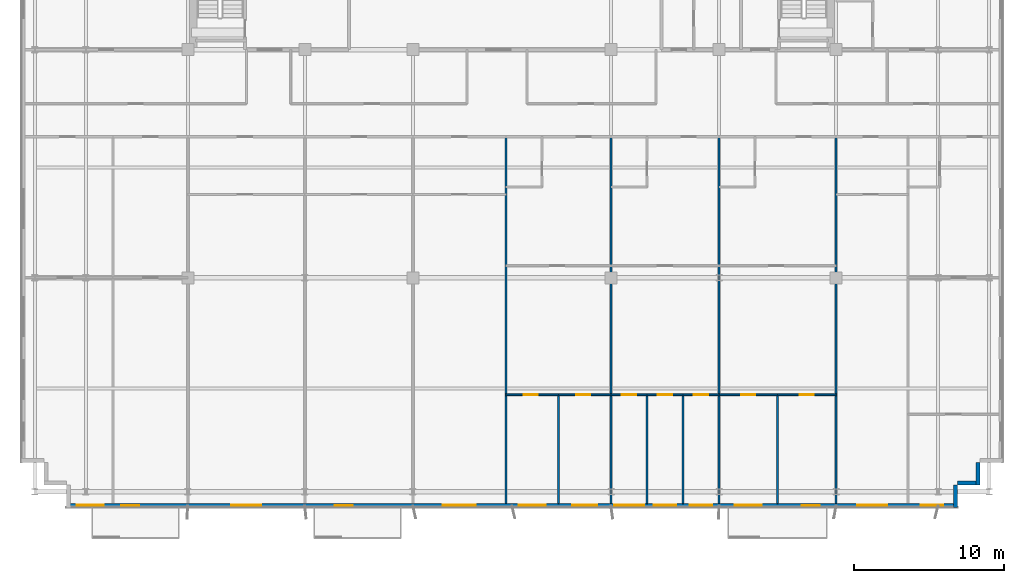
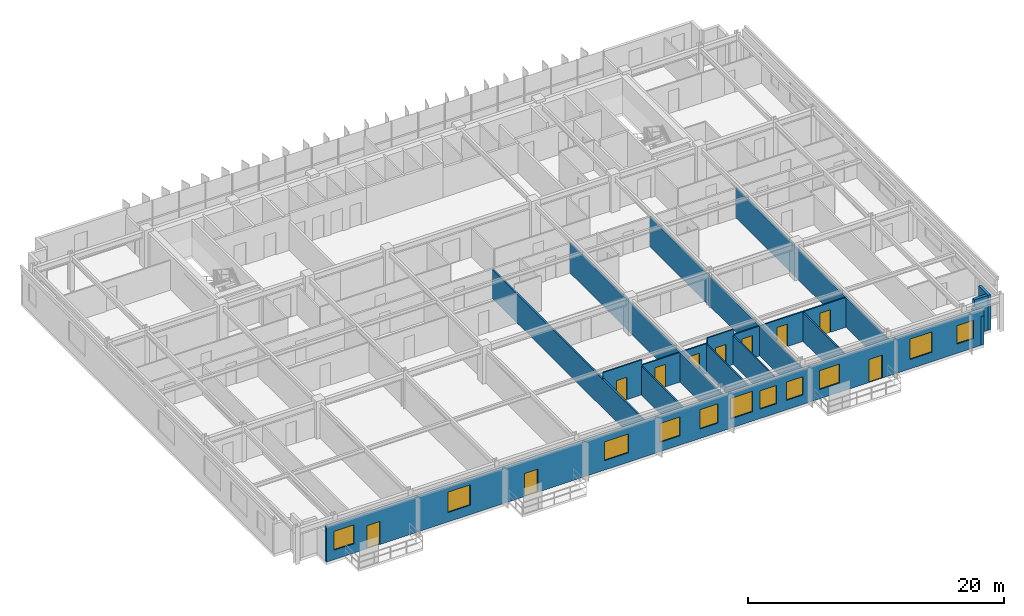
# One storey, part 15 of 22: 19 walls, 11 windows, 10 doors, 21 openings.
"""IFC4 building model written with IfcOpenShell, lengths in metres."""

from ifc_helpers import new_model, si_unit, direction, frame, frame_2d, origin, place, context, subcontext, project, spatial, rectangle, extrude, source, transform, mapped, material, layer, layer_set, type_object, element, fill, save


model = new_model("IFC4")

# Units and contexts
model_context = context("Model", 3, precision=1e-05, world=origin(), true_north=direction((0.0, 1.0)))
body_context = subcontext(model_context, "Body", "Model", "MODEL_VIEW")
ifc_project = project(units=[si_unit("LENGTHUNIT", "METRE"), si_unit("AREAUNIT", "SQUARE_METRE"), si_unit("VOLUMEUNIT", "CUBIC_METRE"), si_unit("PLANEANGLEUNIT", "RADIAN"), si_unit("MASSUNIT", "GRAM", prefix="KILO")], contexts=[model_context])

# Site, building, storey
site_placement = place(None, origin())
site = spatial("IfcSite", under=ifc_project, at=site_placement, CompositionType="ELEMENT")
building_placement = place(site_placement, origin())
building = spatial("IfcBuilding", under=site, at=building_placement, Name="Trelvane Seafront Commons", CompositionType="ELEMENT")
storey_placement = place(building_placement, frame((0.0, 0.0, 88.89990234375)))
storey = spatial("IfcBuildingStorey", under=building, at=storey_placement, Name="L22", CompositionType="ELEMENT", Elevation=88.89990234375)

# Walls
ifc_material_1 = material(Name="Precast concrete C40/50", Category="concrete")
ifc_layer_1 = layer(ifc_material_1, 0.260009765625, Name="ARCH-WALL-EXT260")
ifc_layer_set_1 = layer_set([ifc_layer_1], Name="Precast concrete C40/50")
wall_type_1 = type_object("IfcWallType", Name="ARCH-WALL-EXT260", PredefinedType="SOLIDWALL", material=ifc_layer_set_1)
for number, where, z_axis, x_axis, name in (
    (1, (68.27001953125, 5.89990234375, 0.0), (0.0, 0.0, 1.0), (0.0, -1.0, 0.0), "EW-L22-00407"),
    (2, (68.39990234375, 4.530029296875, 0.0), (0.0, 0.0, 1.0), (-1.0, 0.0, 0.0), "EW-L22-00408"),
):
    element("IfcWall", number, at=place(storey_placement, frame(where, z_axis=z_axis, x_axis=x_axis)), inside=storey, type_object=wall_type_1, Name=name, PredefinedType="SOLIDWALL", context=body_context, shape_type="SweptSolid", body=[
        extrude(rectangle(XDim=1.5, YDim=0.260009765625, at=frame_2d((0.75, 0.0))), origin(), (0.0, 0.0, 1.0), 3.340087890625),
    ])
wall_1_placement = place(storey_placement, frame((66.77001953125, 4.39990234375, 0.0), z_axis=(0.0, 0.0, 1.0), x_axis=(0.0, -1.0, 0.0)))
element("IfcWall", 3, at=wall_1_placement, inside=storey, type_object=wall_type_1, Name="EW-L22-00409", PredefinedType="SOLIDWALL", context=body_context, shape_type="SweptSolid", body=[
    extrude(rectangle(XDim=1.5, YDim=0.260009765625, at=frame_2d((0.75, 0.0))), origin(), (0.0, 0.0, 1.0), 2.752197265625),
])

# Wall, openings, doors, windows
wall_2_placement = place(storey_placement, frame((66.89990234375, 3.030029296875, 0.0), z_axis=(0.0, 0.0, 1.0), x_axis=(-1.0, 0.0, 0.0)))
wall_2 = element("IfcWall", 4, at=wall_2_placement, inside=storey, type_object=wall_type_1, Name="EW-L22-00410", PredefinedType="SOLIDWALL", context=body_context, shape_type="SweptSolid", body=[
    extrude(rectangle(XDim=59.39990234375, YDim=0.260009765625, at=frame_2d((29.699951171875, 0.0))), origin(), (0.0, 0.0, 1.0), 3.340087890625),
])
opening_1_placement = place(wall_2_placement, frame((0.945068359375, 0.0, 0.89990234375)))
opening_1 = element("IfcOpeningElement", 5, at=opening_1_placement, cuts=wall_2, Name="Opening W03", PredefinedType="OPENING", context=body_context, shape_type="SweptSolid", body=[
    extrude(rectangle(XDim=1.5, YDim=1.75, at=frame_2d((0.75, 0.875))), frame((0.0, 0.139892578125, 0.0), z_axis=(0.0, -1.0, 0.0), x_axis=(1.0, 0.0, 0.0)), (0.0, 0.0, 1.0), 0.280029296875),
])
opening_2_placement = place(wall_2_placement, frame((4.699951171875, 0.0, 0.89990234375)))
opening_2 = element("IfcOpeningElement", 6, at=opening_2_placement, cuts=wall_2, Name="Opening W06", PredefinedType="OPENING", context=body_context, shape_type="SweptSolid", body=[
    extrude(rectangle(XDim=2.0, YDim=1.949951171875, at=frame_2d((1.0, 0.97509765625))), frame((0.0, 0.139892578125, 0.0), z_axis=(0.0, -1.0, 0.0), x_axis=(1.0, 0.0, 0.0)), (0.0, 0.0, 1.0), 0.280029296875),
])
opening_3_placement = place(wall_2_placement, frame((9.179931640625, 0.0, 0.0)))
opening_3 = element("IfcOpeningElement", 7, at=opening_3_placement, cuts=wall_2, Name="Opening BD-L22-52", PredefinedType="OPENING", context=body_context, shape_type="SweptSolid", body=[
    extrude(rectangle(XDim=1.199951171875, YDim=2.199951171875, at=frame_2d((0.60009765625, 1.10009765625))), frame((0.0, 0.139892578125, 0.0), z_axis=(0.0, -1.0, 0.0), x_axis=(1.0, 0.0, 0.0)), (0.0, 0.0, 1.0), 0.280029296875),
])
opening_4_placement = place(wall_2_placement, frame((13.050048828125, 0.0, 0.89990234375)))
opening_4 = element("IfcOpeningElement", 8, at=opening_4_placement, cuts=wall_2, Name="Opening W01", PredefinedType="OPENING", context=body_context, shape_type="SweptSolid", body=[
    extrude(rectangle(XDim=1.800048828125, YDim=1.800048828125, at=frame_2d((0.89990234375, 0.89990234375))), frame((0.0, 0.139892578125, 0.0), z_axis=(0.0, -1.0, 0.0), x_axis=(1.0, 0.0, 0.0)), (0.0, 0.0, 1.0), 0.280029296875),
])
opening_5_placement = place(wall_2_placement, frame((16.35009765625, 0.0, 0.89990234375)))
opening_5 = element("IfcOpeningElement", 9, at=opening_5_placement, cuts=wall_2, Name="Opening W03", PredefinedType="OPENING", context=body_context, shape_type="SweptSolid", body=[
    extrude(rectangle(XDim=1.5, YDim=1.75, at=frame_2d((0.75, 0.875))), frame((0.0, 0.139892578125, 0.0), z_axis=(0.0, -1.0, 0.0), x_axis=(1.0, 0.0, 0.0)), (0.0, 0.0, 1.0), 0.280029296875),
])
opening_6_placement = place(wall_2_placement, frame((18.75, 0.0, 0.89990234375)))
opening_6 = element("IfcOpeningElement", 10, at=opening_6_placement, cuts=wall_2, Name="Opening W03", PredefinedType="OPENING", context=body_context, shape_type="SweptSolid", body=[
    extrude(rectangle(XDim=1.5, YDim=1.75, at=frame_2d((0.75, 0.875))), frame((0.0, 0.139892578125, 0.0), z_axis=(0.0, -1.0, 0.0), x_axis=(1.0, 0.0, 0.0)), (0.0, 0.0, 1.0), 0.280029296875),
])
opening_7_placement = place(wall_2_placement, frame((20.89990234375, 0.0, 0.89990234375)))
opening_7 = element("IfcOpeningElement", 11, at=opening_7_placement, cuts=wall_2, Name="Opening W06", PredefinedType="OPENING", context=body_context, shape_type="SweptSolid", body=[
    extrude(rectangle(XDim=2.0, YDim=1.949951171875, at=frame_2d((1.0, 0.97509765625))), frame((0.0, 0.139892578125, 0.0), z_axis=(0.0, -1.0, 0.0), x_axis=(1.0, 0.0, 0.0)), (0.0, 0.0, 1.0), 0.280029296875),
])
opening_8_placement = place(wall_2_placement, frame((24.02490234375, 0.0, 0.89990234375)))
opening_8 = element("IfcOpeningElement", 12, at=opening_8_placement, cuts=wall_2, Name="Opening W07", PredefinedType="OPENING", context=body_context, shape_type="SweptSolid", body=[
    extrude(rectangle(XDim=1.64990234375, YDim=1.85009765625, at=frame_2d((0.824951171875, 0.925048828125))), frame((0.0, 0.139892578125, 0.0), z_axis=(0.0, -1.0, 0.0), x_axis=(1.0, 0.0, 0.0)), (0.0, 0.0, 1.0), 0.280029296875),
])
opening_9_placement = place(wall_2_placement, frame((27.449951171875, 0.0, 0.89990234375)))
opening_9 = element("IfcOpeningElement", 13, at=opening_9_placement, cuts=wall_2, Name="Opening W01", PredefinedType="OPENING", context=body_context, shape_type="SweptSolid", body=[
    extrude(rectangle(XDim=1.800048828125, YDim=1.800048828125, at=frame_2d((0.89990234375, 0.89990234375))), frame((0.0, 0.139892578125, 0.0), z_axis=(0.0, -1.0, 0.0), x_axis=(1.0, 0.0, 0.0)), (0.0, 0.0, 1.0), 0.280029296875),
])
opening_10_placement = place(wall_2_placement, frame((32.10009765625, 0.0, 0.89990234375)))
opening_10 = element("IfcOpeningElement", 14, at=opening_10_placement, cuts=wall_2, Name="Opening W02", PredefinedType="OPENING", context=body_context, shape_type="SweptSolid", body=[
    extrude(rectangle(XDim=2.199951171875, YDim=1.800048828125, at=frame_2d((1.10009765625, 0.89990234375))), frame((0.0, 0.139892578125, 0.0), z_axis=(0.0, -1.0, 0.0), x_axis=(1.0, 0.0, 0.0)), (0.0, 0.0, 1.0), 0.280029296875),
])
opening_11_placement = place(wall_2_placement, frame((40.301025390625, 0.0, 0.0)))
opening_11 = element("IfcOpeningElement", 15, at=opening_11_placement, cuts=wall_2, Name="Opening BD-L22-53", PredefinedType="OPENING", context=body_context, shape_type="SweptSolid", body=[
    extrude(rectangle(XDim=1.199951171875, YDim=2.199951171875, at=frame_2d((0.60009765625, 1.10009765625))), frame((0.0, 0.139892578125, 0.0), z_axis=(0.0, -1.0, 0.0), x_axis=(1.0, 0.0, 0.0)), (0.0, 0.0, 1.0), 0.280029296875),
])
opening_12_placement = place(wall_2_placement, frame((46.39990234375, 0.0, 0.89990234375)))
opening_12 = element("IfcOpeningElement", 16, at=opening_12_placement, cuts=wall_2, Name="Opening W06", PredefinedType="OPENING", context=body_context, shape_type="SweptSolid", body=[
    extrude(rectangle(XDim=2.0, YDim=1.949951171875, at=frame_2d((1.0, 0.97509765625))), frame((0.0, 0.139892578125, 0.0), z_axis=(0.0, -1.0, 0.0), x_axis=(1.0, 0.0, 0.0)), (0.0, 0.0, 1.0), 0.280029296875),
])
opening_13_placement = place(wall_2_placement, frame((54.55810546875, 0.0, 0.0)))
opening_13 = element("IfcOpeningElement", 17, at=opening_13_placement, cuts=wall_2, Name="Opening BD-L22-54", PredefinedType="OPENING", context=body_context, shape_type="SweptSolid", body=[
    extrude(rectangle(XDim=1.199951171875, YDim=2.199951171875, at=frame_2d((0.60009765625, 1.10009765625))), frame((0.0, 0.139892578125, 0.0), z_axis=(0.0, -1.0, 0.0), x_axis=(1.0, 0.0, 0.0)), (0.0, 0.0, 1.0), 0.280029296875),
])
opening_14_placement = place(wall_2_placement, frame((56.905029296875, 0.0, 0.89990234375)))
opening_14 = element("IfcOpeningElement", 18, at=opening_14_placement, cuts=wall_2, Name="Opening W01", PredefinedType="OPENING", context=body_context, shape_type="SweptSolid", body=[
    extrude(rectangle(XDim=1.800048828125, YDim=1.800048828125, at=frame_2d((0.89990234375, 0.89990234375))), frame((0.0, 0.139892578125, 0.0), z_axis=(0.0, -1.0, 0.0), x_axis=(1.0, 0.0, 0.0)), (0.0, 0.0, 1.0), 0.280029296875),
])
ifc_material_2 = material(Name="Powder-coated aluminium frame", Category="aluminium")
door_type_1 = type_object("IfcDoorType", Name="ARCH-DR-BAL1200", OperationType="NOTDEFINED", PredefinedType="DOOR", material=ifc_material_2)
shared_shape_1 = source(origin(), body_context, "Body", "SweptSolid", [
    extrude(rectangle(XDim=1.199951171875, YDim=2.199951171875, at=frame_2d((0.60009765625, 1.10009765625))), frame((0.0, 0.02490234375, 0.0), z_axis=(0.0, -1.0, 0.0), x_axis=(1.0, 0.0, 0.0)), (0.0, 0.0, 1.0), 0.050048828125),
])
door_1_placement = place(opening_3_placement, origin())
door_1 = element("IfcDoor", 19, at=door_1_placement, inside=storey, type_object=door_type_1, Name="L22 Balcony Terrace Access Door", OperationType="SINGLE_SWING_LEFT", OverallHeight=2.199951171875, OverallWidth=1.199951171875, PredefinedType="DOOR", context=body_context, shape_type="MappedRepresentation", body=[
    mapped(shared_shape_1, transform((0.0, 0.0, 0.0), x_axis=(1.0, 0.0, 0.0), y_axis=(0.0, 1.0, 0.0), z_axis=(0.0, 0.0, 1.0), scale=1.0)),
])
fill(opening_3, door_1)
door_2_placement = place(opening_11_placement, origin())
door_2 = element("IfcDoor", 20, at=door_2_placement, inside=storey, type_object=door_type_1, Name="L22 Balcony Terrace Access Door", OperationType="SINGLE_SWING_LEFT", OverallHeight=2.199951171875, OverallWidth=1.199951171875, PredefinedType="DOOR", context=body_context, shape_type="MappedRepresentation", body=[
    mapped(shared_shape_1, transform((0.0, 0.0, 0.0), x_axis=(1.0, 0.0, 0.0), y_axis=(0.0, 1.0, 0.0), z_axis=(0.0, 0.0, 1.0), scale=1.0)),
])
fill(opening_11, door_2)
door_3_placement = place(opening_13_placement, origin())
door_3 = element("IfcDoor", 21, at=door_3_placement, inside=storey, type_object=door_type_1, Name="L22 Balcony Terrace Access Door", OperationType="SINGLE_SWING_LEFT", OverallHeight=2.199951171875, OverallWidth=1.199951171875, PredefinedType="DOOR", context=body_context, shape_type="MappedRepresentation", body=[
    mapped(shared_shape_1, transform((0.0, 0.0, 0.0), x_axis=(1.0, 0.0, 0.0), y_axis=(0.0, 1.0, 0.0), z_axis=(0.0, 0.0, 1.0), scale=1.0)),
])
fill(opening_13, door_3)
ifc_material_3 = material(Name="Low-E coastal double glazing", Category="glass")
window_type_1 = type_object("IfcWindowType", Name="ARCH-WIN-W02", PartitioningType="SINGLE_PANEL", PredefinedType="WINDOW", material=ifc_material_3)
shared_shape_2 = source(origin(), body_context, "Body", "SweptSolid", [
    extrude(rectangle(XDim=2.199951171875, YDim=1.800048828125, at=frame_2d((1.10009765625, 0.89990234375))), frame((0.0, 0.030029296875, 0.0), z_axis=(0.0, -1.0, 0.0), x_axis=(1.0, 0.0, 0.0)), (0.0, 0.0, 1.0), 0.06005859375),
])
window_1_placement = place(opening_10_placement, origin())
window_1 = element("IfcWindow", 22, at=window_1_placement, inside=storey, type_object=window_type_1, Name="WIN-L22-00473", OverallHeight=1.800048828125, OverallWidth=2.199951171875, PartitioningType="SINGLE_PANEL", PredefinedType="WINDOW", context=body_context, shape_type="MappedRepresentation", body=[
    mapped(shared_shape_2, transform((0.0, 0.0, 0.0), x_axis=(1.0, 0.0, 0.0), y_axis=(0.0, 1.0, 0.0), z_axis=(0.0, 0.0, 1.0), scale=1.0)),
])
fill(opening_10, window_1)
window_type_2 = type_object("IfcWindowType", Name="ARCH-WIN-W03", PartitioningType="SINGLE_PANEL", PredefinedType="WINDOW", material=ifc_material_3)
shared_shape_3 = source(origin(), body_context, "Body", "SweptSolid", [
    extrude(rectangle(XDim=1.5, YDim=1.75, at=frame_2d((0.75, 0.875))), frame((0.0, 0.030029296875, 0.0), z_axis=(0.0, -1.0, 0.0), x_axis=(1.0, 0.0, 0.0)), (0.0, 0.0, 1.0), 0.06005859375),
])
window_2_placement = place(opening_1_placement, origin())
window_2 = element("IfcWindow", 23, at=window_2_placement, inside=storey, type_object=window_type_2, Name="WIN-L22-00465", OverallHeight=1.75, OverallWidth=1.5, PartitioningType="SINGLE_PANEL", PredefinedType="WINDOW", context=body_context, shape_type="MappedRepresentation", body=[
    mapped(shared_shape_3, transform((0.0, 0.0, 0.0), x_axis=(1.0, 0.0, 0.0), y_axis=(0.0, 1.0, 0.0), z_axis=(0.0, 0.0, 1.0), scale=1.0)),
])
fill(opening_1, window_2)
window_3_placement = place(opening_5_placement, origin())
window_3 = element("IfcWindow", 24, at=window_3_placement, inside=storey, type_object=window_type_2, Name="WIN-L22-00468", OverallHeight=1.75, OverallWidth=1.5, PartitioningType="SINGLE_PANEL", PredefinedType="WINDOW", context=body_context, shape_type="MappedRepresentation", body=[
    mapped(shared_shape_3, transform((0.0, 0.0, 0.0), x_axis=(1.0, 0.0, 0.0), y_axis=(0.0, 1.0, 0.0), z_axis=(0.0, 0.0, 1.0), scale=1.0)),
])
fill(opening_5, window_3)
window_4_placement = place(opening_6_placement, origin())
window_4 = element("IfcWindow", 25, at=window_4_placement, inside=storey, type_object=window_type_2, Name="WIN-L22-00469", OverallHeight=1.75, OverallWidth=1.5, PartitioningType="SINGLE_PANEL", PredefinedType="WINDOW", context=body_context, shape_type="MappedRepresentation", body=[
    mapped(shared_shape_3, transform((0.0, 0.0, 0.0), x_axis=(1.0, 0.0, 0.0), y_axis=(0.0, 1.0, 0.0), z_axis=(0.0, 0.0, 1.0), scale=1.0)),
])
fill(opening_6, window_4)
window_type_3 = type_object("IfcWindowType", Name="ARCH-WIN-W06", PartitioningType="SINGLE_PANEL", PredefinedType="WINDOW", material=ifc_material_3)
shared_shape_4 = source(origin(), body_context, "Body", "SweptSolid", [
    extrude(rectangle(XDim=2.0, YDim=1.949951171875, at=frame_2d((1.0, 0.97509765625))), frame((0.0, 0.030029296875, 0.0), z_axis=(0.0, -1.0, 0.0), x_axis=(1.0, 0.0, 0.0)), (0.0, 0.0, 1.0), 0.06005859375),
])
window_5_placement = place(opening_2_placement, origin())
window_5 = element("IfcWindow", 26, at=window_5_placement, inside=storey, type_object=window_type_3, Name="WIN-L22-00466", OverallHeight=1.949951171875, OverallWidth=2.0, PartitioningType="SINGLE_PANEL", PredefinedType="WINDOW", context=body_context, shape_type="MappedRepresentation", body=[
    mapped(shared_shape_4, transform((0.0, 0.0, 0.0), x_axis=(1.0, 0.0, 0.0), y_axis=(0.0, 1.0, 0.0), z_axis=(0.0, 0.0, 1.0), scale=1.0)),
])
fill(opening_2, window_5)
window_6_placement = place(opening_7_placement, origin())
window_6 = element("IfcWindow", 27, at=window_6_placement, inside=storey, type_object=window_type_3, Name="WIN-L22-00470", OverallHeight=1.949951171875, OverallWidth=2.0, PartitioningType="SINGLE_PANEL", PredefinedType="WINDOW", context=body_context, shape_type="MappedRepresentation", body=[
    mapped(shared_shape_4, transform((0.0, 0.0, 0.0), x_axis=(1.0, 0.0, 0.0), y_axis=(0.0, 1.0, 0.0), z_axis=(0.0, 0.0, 1.0), scale=1.0)),
])
fill(opening_7, window_6)
window_7_placement = place(opening_12_placement, origin())
window_7 = element("IfcWindow", 28, at=window_7_placement, inside=storey, type_object=window_type_3, Name="WIN-L22-00474", OverallHeight=1.949951171875, OverallWidth=2.0, PartitioningType="SINGLE_PANEL", PredefinedType="WINDOW", context=body_context, shape_type="MappedRepresentation", body=[
    mapped(shared_shape_4, transform((0.0, 0.0, 0.0), x_axis=(1.0, 0.0, 0.0), y_axis=(0.0, 1.0, 0.0), z_axis=(0.0, 0.0, 1.0), scale=1.0)),
])
fill(opening_12, window_7)
window_type_4 = type_object("IfcWindowType", Name="ARCH-WIN-W01", PartitioningType="SINGLE_PANEL", PredefinedType="WINDOW", material=ifc_material_3)
shared_shape_5 = source(origin(), body_context, "Body", "SweptSolid", [
    extrude(rectangle(XDim=1.800048828125, YDim=1.800048828125, at=frame_2d((0.89990234375, 0.89990234375))), frame((0.0, 0.030029296875, 0.0), z_axis=(0.0, -1.0, 0.0), x_axis=(1.0, 0.0, 0.0)), (0.0, 0.0, 1.0), 0.06005859375),
])
window_8_placement = place(opening_4_placement, origin())
window_8 = element("IfcWindow", 29, at=window_8_placement, inside=storey, type_object=window_type_4, Name="WIN-L22-00467", OverallHeight=1.800048828125, OverallWidth=1.800048828125, PartitioningType="SINGLE_PANEL", PredefinedType="WINDOW", context=body_context, shape_type="MappedRepresentation", body=[
    mapped(shared_shape_5, transform((0.0, 0.0, 0.0), x_axis=(1.0, 0.0, 0.0), y_axis=(0.0, 1.0, 0.0), z_axis=(0.0, 0.0, 1.0), scale=1.0)),
])
fill(opening_4, window_8)
window_9_placement = place(opening_9_placement, origin())
window_9 = element("IfcWindow", 30, at=window_9_placement, inside=storey, type_object=window_type_4, Name="WIN-L22-00472", OverallHeight=1.800048828125, OverallWidth=1.800048828125, PartitioningType="SINGLE_PANEL", PredefinedType="WINDOW", context=body_context, shape_type="MappedRepresentation", body=[
    mapped(shared_shape_5, transform((0.0, 0.0, 0.0), x_axis=(1.0, 0.0, 0.0), y_axis=(0.0, 1.0, 0.0), z_axis=(0.0, 0.0, 1.0), scale=1.0)),
])
fill(opening_9, window_9)
window_10_placement = place(opening_14_placement, origin())
window_10 = element("IfcWindow", 31, at=window_10_placement, inside=storey, type_object=window_type_4, Name="WIN-L22-00475", OverallHeight=1.800048828125, OverallWidth=1.800048828125, PartitioningType="SINGLE_PANEL", PredefinedType="WINDOW", context=body_context, shape_type="MappedRepresentation", body=[
    mapped(shared_shape_5, transform((0.0, 0.0, 0.0), x_axis=(1.0, 0.0, 0.0), y_axis=(0.0, 1.0, 0.0), z_axis=(0.0, 0.0, 1.0), scale=1.0)),
])
fill(opening_14, window_10)
window_type_5 = type_object("IfcWindowType", Name="ARCH-WIN-W07", PartitioningType="SINGLE_PANEL", PredefinedType="WINDOW", material=ifc_material_3)
shared_shape_6 = source(origin(), body_context, "Body", "SweptSolid", [
    extrude(rectangle(XDim=1.64990234375, YDim=1.85009765625, at=frame_2d((0.824951171875, 0.925048828125))), frame((0.0, 0.030029296875, 0.0), z_axis=(0.0, -1.0, 0.0), x_axis=(1.0, 0.0, 0.0)), (0.0, 0.0, 1.0), 0.06005859375),
])
window_11_placement = place(opening_8_placement, origin())
window_11 = element("IfcWindow", 32, at=window_11_placement, inside=storey, type_object=window_type_5, Name="WIN-L22-00471", OverallHeight=1.85009765625, OverallWidth=1.64990234375, PartitioningType="SINGLE_PANEL", PredefinedType="WINDOW", context=body_context, shape_type="MappedRepresentation", body=[
    mapped(shared_shape_6, transform((0.0, 0.0, 0.0), x_axis=(1.0, 0.0, 0.0), y_axis=(0.0, 1.0, 0.0), z_axis=(0.0, 0.0, 1.0), scale=1.0)),
])
fill(opening_8, window_11)

# Wall, opening, door
ifc_material_4 = material(Name="Gypsum Drywall Acoustic Partition")
ifc_layer_2 = layer(ifc_material_4, 0.1201171875, Name="ARCH-WALL-PART120")
ifc_layer_set_2 = layer_set([ifc_layer_2], Name="Gypsum Drywall Acoustic Partition")
wall_type_2 = type_object("IfcWallType", Name="ARCH-WALL-PART120", PredefinedType="PARTITIONING", material=ifc_layer_set_2)
wall_3_placement = place(storey_placement, frame((36.800048828125, 10.39990234375, 0.0), z_axis=(0.0, 0.0, 1.0), x_axis=(1.0, 0.0, 0.0)))
wall_3 = element("IfcWall", 33, at=wall_3_placement, inside=storey, type_object=wall_type_2, Name="W-L22-U6-YM-1-083", PredefinedType="PARTITIONING", context=body_context, shape_type="SweptSolid", body=[
    extrude(rectangle(XDim=3.5, YDim=0.1201171875, at=frame_2d((1.75, 0.0))), origin(), (0.0, 0.0, 1.0), 3.340087890625),
])
opening_15_placement = place(wall_3_placement, frame((1.176025390625, 0.0, 0.0)))
opening_15 = element("IfcOpeningElement", 34, at=opening_15_placement, cuts=wall_3, Name="Opening D-L22-44", PredefinedType="OPENING", context=body_context, shape_type="SweptSolid", body=[
    extrude(rectangle(XDim=0.949951171875, YDim=2.14990234375, at=frame_2d((0.47509765625, 1.074951171875))), frame((0.0, 0.070068359375, 0.0), z_axis=(0.0, -1.0, 0.0), x_axis=(1.0, 0.0, 0.0)), (0.0, 0.0, 1.0), 0.14013671875),
])
ifc_material_5 = material(Name="Acoustic timber door leaf", Category="wood")
door_type_2 = type_object("IfcDoorType", Name="ARCH-DR-INT950", OperationType="NOTDEFINED", PredefinedType="DOOR", material=ifc_material_5)
shared_shape_7 = source(origin(), body_context, "Body", "SweptSolid", [
    extrude(rectangle(XDim=0.949951171875, YDim=2.14990234375, at=frame_2d((0.47509765625, 1.074951171875))), frame((0.0, 0.02490234375, 0.0), z_axis=(0.0, -1.0, 0.0), x_axis=(1.0, 0.0, 0.0)), (0.0, 0.0, 1.0), 0.050048828125),
])
door_4_placement = place(opening_15_placement, origin())
door_4 = element("IfcDoor", 35, at=door_4_placement, inside=storey, type_object=door_type_2, Name="L22 Door 44", OperationType="SINGLE_SWING_RIGHT", OverallHeight=2.14990234375, OverallWidth=0.949951171875, PredefinedType="DOOR", context=body_context, shape_type="MappedRepresentation", body=[
    mapped(shared_shape_7, transform((0.0, 0.0, 0.0), x_axis=(1.0, 0.0, 0.0), y_axis=(0.0, 1.0, 0.0), z_axis=(0.0, 0.0, 1.0), scale=1.0)),
])
fill(opening_15, door_4)

wall_4_placement = place(storey_placement, frame((40.300048828125, 10.39990234375, 0.0), z_axis=(0.0, 0.0, 1.0), x_axis=(1.0, 0.0, 0.0)))
wall_4 = element("IfcWall", 36, at=wall_4_placement, inside=storey, type_object=wall_type_2, Name="W-L22-U6-YM-2-084", PredefinedType="PARTITIONING", context=body_context, shape_type="SweptSolid", body=[
    extrude(rectangle(XDim=3.5, YDim=0.1201171875, at=frame_2d((1.75, 0.0))), origin(), (0.0, 0.0, 1.0), 2.840087890625),
])
opening_16_placement = place(wall_4_placement, frame((1.176025390625, 0.0, 0.0)))
opening_16 = element("IfcOpeningElement", 37, at=opening_16_placement, cuts=wall_4, Name="Opening D-L22-45", PredefinedType="OPENING", context=body_context, shape_type="SweptSolid", body=[
    extrude(rectangle(XDim=0.949951171875, YDim=2.14990234375, at=frame_2d((0.47509765625, 1.074951171875))), frame((0.0, 0.070068359375, 0.0), z_axis=(0.0, -1.0, 0.0), x_axis=(1.0, 0.0, 0.0)), (0.0, 0.0, 1.0), 0.14013671875),
])
door_5_placement = place(opening_16_placement, origin())
door_5 = element("IfcDoor", 38, at=door_5_placement, inside=storey, type_object=door_type_2, Name="L22 Door 45", OperationType="SINGLE_SWING_LEFT", OverallHeight=2.14990234375, OverallWidth=0.949951171875, PredefinedType="DOOR", context=body_context, shape_type="MappedRepresentation", body=[
    mapped(shared_shape_7, transform((0.0, 0.0, 0.0), x_axis=(1.0, 0.0, 0.0), y_axis=(0.0, 1.0, 0.0), z_axis=(0.0, 0.0, 1.0), scale=1.0)),
])
fill(opening_16, door_5)

# Wall
wall_5_placement = place(storey_placement, frame((40.300048828125, 3.14501953125, 0.0), z_axis=(0.0, 0.0, 1.0), x_axis=(0.0, 1.0, 0.0)))
element("IfcWall", 39, at=wall_5_placement, inside=storey, type_object=wall_type_2, Name="W-L22-U6-BDV-1-085", PredefinedType="PARTITIONING", context=body_context, shape_type="SweptSolid", body=[
    extrude(rectangle(XDim=7.2548828125, YDim=0.1201171875, at=frame_2d((3.62744140625, 0.0))), origin(), (0.0, 0.0, 1.0), 2.752197265625),
])

# Wall, opening, door
wall_6_placement = place(storey_placement, frame((43.800048828125, 10.39990234375, 0.0), z_axis=(0.0, 0.0, 1.0), x_axis=(1.0, 0.0, 0.0)))
wall_6 = element("IfcWall", 40, at=wall_6_placement, inside=storey, type_object=wall_type_2, Name="W-L22-U7-YM-1-090", PredefinedType="PARTITIONING", context=body_context, shape_type="SweptSolid", body=[
    extrude(rectangle(XDim=2.39990234375, YDim=0.1201171875, at=frame_2d((1.199951171875, 0.0))), origin(), (0.0, 0.0, 1.0), 2.840087890625),
])
opening_17_placement = place(wall_6_placement, frame((0.72509765625, 0.0, 0.0)))
opening_17 = element("IfcOpeningElement", 41, at=opening_17_placement, cuts=wall_6, Name="Opening D-L22-49", PredefinedType="OPENING", context=body_context, shape_type="SweptSolid", body=[
    extrude(rectangle(XDim=0.949951171875, YDim=2.14990234375, at=frame_2d((0.47509765625, 1.074951171875))), frame((0.0, 0.070068359375, 0.0), z_axis=(0.0, -1.0, 0.0), x_axis=(1.0, 0.0, 0.0)), (0.0, 0.0, 1.0), 0.14013671875),
])
door_6_placement = place(opening_17_placement, origin())
door_6 = element("IfcDoor", 42, at=door_6_placement, inside=storey, type_object=door_type_2, Name="L22 Door 49", OperationType="SINGLE_SWING_LEFT", OverallHeight=2.14990234375, OverallWidth=0.949951171875, PredefinedType="DOOR", context=body_context, shape_type="MappedRepresentation", body=[
    mapped(shared_shape_7, transform((0.0, 0.0, 0.0), x_axis=(1.0, 0.0, 0.0), y_axis=(0.0, 1.0, 0.0), z_axis=(0.0, 0.0, 1.0), scale=1.0)),
])
fill(opening_17, door_6)

wall_7_placement = place(storey_placement, frame((46.199951171875, 10.39990234375, 0.0), z_axis=(0.0, 0.0, 1.0), x_axis=(1.0, 0.0, 0.0)))
wall_7 = element("IfcWall", 43, at=wall_7_placement, inside=storey, type_object=wall_type_2, Name="W-L22-U7-YM-2-091", PredefinedType="PARTITIONING", context=body_context, shape_type="SweptSolid", body=[
    extrude(rectangle(XDim=2.400146484375, YDim=0.1201171875, at=frame_2d((1.2001953125, 0.0))), origin(), (0.0, 0.0, 1.0), 3.340087890625),
])
opening_18_placement = place(wall_7_placement, frame((0.72509765625, 0.0, 0.0)))
opening_18 = element("IfcOpeningElement", 44, at=opening_18_placement, cuts=wall_7, Name="Opening D-L22-50", PredefinedType="OPENING", context=body_context, shape_type="SweptSolid", body=[
    extrude(rectangle(XDim=0.949951171875, YDim=2.14990234375, at=frame_2d((0.47509765625, 1.074951171875))), frame((0.0, 0.070068359375, 0.0), z_axis=(0.0, -1.0, 0.0), x_axis=(1.0, 0.0, 0.0)), (0.0, 0.0, 1.0), 0.14013671875),
])
door_7_placement = place(opening_18_placement, origin())
door_7 = element("IfcDoor", 45, at=door_7_placement, inside=storey, type_object=door_type_2, Name="L22 Door 50", OperationType="SINGLE_SWING_RIGHT", OverallHeight=2.14990234375, OverallWidth=0.949951171875, PredefinedType="DOOR", context=body_context, shape_type="MappedRepresentation", body=[
    mapped(shared_shape_7, transform((0.0, 0.0, 0.0), x_axis=(1.0, 0.0, 0.0), y_axis=(0.0, 1.0, 0.0), z_axis=(0.0, 0.0, 1.0), scale=1.0)),
])
fill(opening_18, door_7)

# Wall
wall_8_placement = place(storey_placement, frame((46.199951171875, 3.14501953125, 0.0), z_axis=(0.0, 0.0, 1.0), x_axis=(0.0, 1.0, 0.0)))
element("IfcWall", 46, at=wall_8_placement, inside=storey, type_object=wall_type_2, Name="W-L22-U7-BDV-1-092", PredefinedType="PARTITIONING", context=body_context, shape_type="SweptSolid", body=[
    extrude(rectangle(XDim=7.2548828125, YDim=0.1201171875, at=frame_2d((3.62744140625, 0.0))), origin(), (0.0, 0.0, 1.0), 2.752197265625),
])

# Wall, opening, door
wall_9_placement = place(storey_placement, frame((48.60009765625, 10.39990234375, 0.0), z_axis=(0.0, 0.0, 1.0), x_axis=(1.0, 0.0, 0.0)))
wall_9 = element("IfcWall", 47, at=wall_9_placement, inside=storey, type_object=wall_type_2, Name="W-L22-U7-YM-3-093", PredefinedType="PARTITIONING", context=body_context, shape_type="SweptSolid", body=[
    extrude(rectangle(XDim=2.39990234375, YDim=0.1201171875, at=frame_2d((1.199951171875, 0.0))), origin(), (0.0, 0.0, 1.0), 2.840087890625),
])
opening_19_placement = place(wall_9_placement, frame((0.72509765625, 0.0, 0.0)))
opening_19 = element("IfcOpeningElement", 48, at=opening_19_placement, cuts=wall_9, Name="Opening D-L22-51", PredefinedType="OPENING", context=body_context, shape_type="SweptSolid", body=[
    extrude(rectangle(XDim=0.949951171875, YDim=2.14990234375, at=frame_2d((0.47509765625, 1.074951171875))), frame((0.0, 0.070068359375, 0.0), z_axis=(0.0, -1.0, 0.0), x_axis=(1.0, 0.0, 0.0)), (0.0, 0.0, 1.0), 0.14013671875),
])
door_8_placement = place(opening_19_placement, origin())
door_8 = element("IfcDoor", 49, at=door_8_placement, inside=storey, type_object=door_type_2, Name="L22 Door 51", OperationType="SINGLE_SWING_LEFT", OverallHeight=2.14990234375, OverallWidth=0.949951171875, PredefinedType="DOOR", context=body_context, shape_type="MappedRepresentation", body=[
    mapped(shared_shape_7, transform((0.0, 0.0, 0.0), x_axis=(1.0, 0.0, 0.0), y_axis=(0.0, 1.0, 0.0), z_axis=(0.0, 0.0, 1.0), scale=1.0)),
])
fill(opening_19, door_8)

# Wall
wall_10_placement = place(storey_placement, frame((48.60009765625, 3.14501953125, 0.0), z_axis=(0.0, 0.0, 1.0), x_axis=(0.0, 1.0, 0.0)))
element("IfcWall", 50, at=wall_10_placement, inside=storey, type_object=wall_type_2, Name="W-L22-U7-BDV-2-094", PredefinedType="PARTITIONING", context=body_context, shape_type="SweptSolid", body=[
    extrude(rectangle(XDim=7.2548828125, YDim=0.1201171875, at=frame_2d((3.62744140625, 0.0))), origin(), (0.0, 0.0, 1.0), 2.752197265625),
])

# Wall, opening, door
wall_11_placement = place(storey_placement, frame((51.0, 10.39990234375, 0.0), z_axis=(0.0, 0.0, 1.0), x_axis=(1.0, 0.0, 0.0)))
wall_11 = element("IfcWall", 51, at=wall_11_placement, inside=storey, type_object=wall_type_2, Name="W-L22-U8-YM-1-099", PredefinedType="PARTITIONING", context=body_context, shape_type="SweptSolid", body=[
    extrude(rectangle(XDim=3.89990234375, YDim=0.1201171875, at=frame_2d((1.949951171875, 0.0))), origin(), (0.0, 0.0, 1.0), 2.840087890625),
])
opening_20_placement = place(wall_11_placement, frame((1.47509765625, 0.0, 0.0)))
opening_20 = element("IfcOpeningElement", 52, at=opening_20_placement, cuts=wall_11, Name="Opening D-L22-55", PredefinedType="OPENING", context=body_context, shape_type="SweptSolid", body=[
    extrude(rectangle(XDim=0.949951171875, YDim=2.14990234375, at=frame_2d((0.47509765625, 1.074951171875))), frame((0.0, 0.070068359375, 0.0), z_axis=(0.0, -1.0, 0.0), x_axis=(1.0, 0.0, 0.0)), (0.0, 0.0, 1.0), 0.14013671875),
])
door_9_placement = place(opening_20_placement, origin())
door_9 = element("IfcDoor", 53, at=door_9_placement, inside=storey, type_object=door_type_2, Name="L22 Door 55", OperationType="SINGLE_SWING_LEFT", OverallHeight=2.14990234375, OverallWidth=0.949951171875, PredefinedType="DOOR", context=body_context, shape_type="MappedRepresentation", body=[
    mapped(shared_shape_7, transform((0.0, 0.0, 0.0), x_axis=(1.0, 0.0, 0.0), y_axis=(0.0, 1.0, 0.0), z_axis=(0.0, 0.0, 1.0), scale=1.0)),
])
fill(opening_20, door_9)

wall_12_placement = place(storey_placement, frame((54.89990234375, 10.39990234375, 0.0), z_axis=(0.0, 0.0, 1.0), x_axis=(1.0, 0.0, 0.0)))
wall_12 = element("IfcWall", 54, at=wall_12_placement, inside=storey, type_object=wall_type_2, Name="W-L22-U8-YM-2-100", PredefinedType="PARTITIONING", context=body_context, shape_type="SweptSolid", body=[
    extrude(rectangle(XDim=3.900146484375, YDim=0.1201171875, at=frame_2d((1.9501953125, 0.0))), origin(), (0.0, 0.0, 1.0), 2.840087890625),
])
opening_21_placement = place(wall_12_placement, frame((1.47509765625, 0.0, 0.0)))
opening_21 = element("IfcOpeningElement", 55, at=opening_21_placement, cuts=wall_12, Name="Opening D-L22-56", PredefinedType="OPENING", context=body_context, shape_type="SweptSolid", body=[
    extrude(rectangle(XDim=0.949951171875, YDim=2.14990234375, at=frame_2d((0.47509765625, 1.074951171875))), frame((0.0, 0.070068359375, 0.0), z_axis=(0.0, -1.0, 0.0), x_axis=(1.0, 0.0, 0.0)), (0.0, 0.0, 1.0), 0.14013671875),
])
door_10_placement = place(opening_21_placement, origin())
door_10 = element("IfcDoor", 56, at=door_10_placement, inside=storey, type_object=door_type_2, Name="L22 Door 56", OperationType="SINGLE_SWING_RIGHT", OverallHeight=2.14990234375, OverallWidth=0.949951171875, PredefinedType="DOOR", context=body_context, shape_type="MappedRepresentation", body=[
    mapped(shared_shape_7, transform((0.0, 0.0, 0.0), x_axis=(1.0, 0.0, 0.0), y_axis=(0.0, 1.0, 0.0), z_axis=(0.0, 0.0, 1.0), scale=1.0)),
])
fill(opening_21, door_10)

# Walls
wall_13_placement = place(storey_placement, frame((54.89990234375, 3.14501953125, 0.0), z_axis=(0.0, 0.0, 1.0), x_axis=(0.0, 1.0, 0.0)))
element("IfcWall", 57, at=wall_13_placement, inside=storey, type_object=wall_type_2, Name="W-L22-U8-BDV-1-101", PredefinedType="PARTITIONING", context=body_context, shape_type="SweptSolid", body=[
    extrude(rectangle(XDim=7.2548828125, YDim=0.1201171875, at=frame_2d((3.62744140625, 0.0))), origin(), (0.0, 0.0, 1.0), 2.752197265625),
])
ifc_layer_3 = layer(ifc_material_4, 0.14990234375, Name="ARCH-WALL-PART150")
ifc_layer_set_3 = layer_set([ifc_layer_3], Name="Gypsum Drywall Acoustic Partition")
wall_type_3 = type_object("IfcWallType", Name="ARCH-WALL-PART150", PredefinedType="PARTITIONING", material=ifc_layer_set_3)
wall_14_placement = place(storey_placement, frame((36.800048828125, 3.14501953125, 0.0), z_axis=(0.0, 0.0, 1.0), x_axis=(0.0, 1.0, 0.0)))
element("IfcWall", 58, at=wall_14_placement, inside=storey, type_object=wall_type_3, Name="W-L22-PW-5-064", PredefinedType="PARTITIONING", context=body_context, shape_type="SweptSolid", body=[
    extrude(rectangle(XDim=24.455078125, YDim=0.14990234375, at=frame_2d((12.2275390625, 0.0))), origin(), (0.0, 0.0, 1.0), 2.752197265625),
])
for number, where, z_axis, x_axis, name in (
    (59, (43.800048828125, 3.14501953125, 0.0), (0.0, 0.0, 1.0), (0.0, 1.0, 0.0), "W-L22-PW-6-065"),
    (60, (51.0, 3.14501953125, 0.0), (0.0, 0.0, 1.0), (0.0, 1.0, 0.0), "W-L22-PW-7-066"),
    (61, (58.800048828125, 3.14501953125, 0.0), (0.0, 0.0, 1.0), (0.0, 1.0, 0.0), "W-L22-PW-8-067"),
):
    element("IfcWall", number, at=place(storey_placement, frame(where, z_axis=z_axis, x_axis=x_axis)), inside=storey, type_object=wall_type_3, Name=name, PredefinedType="PARTITIONING", context=body_context, shape_type="SweptSolid", body=[
        extrude(rectangle(XDim=24.455078125, YDim=0.14990234375, at=frame_2d((12.2275390625, 0.0))), origin(), (0.0, 0.0, 1.0), 2.840087890625),
    ])

save(model, "model.ifc")
